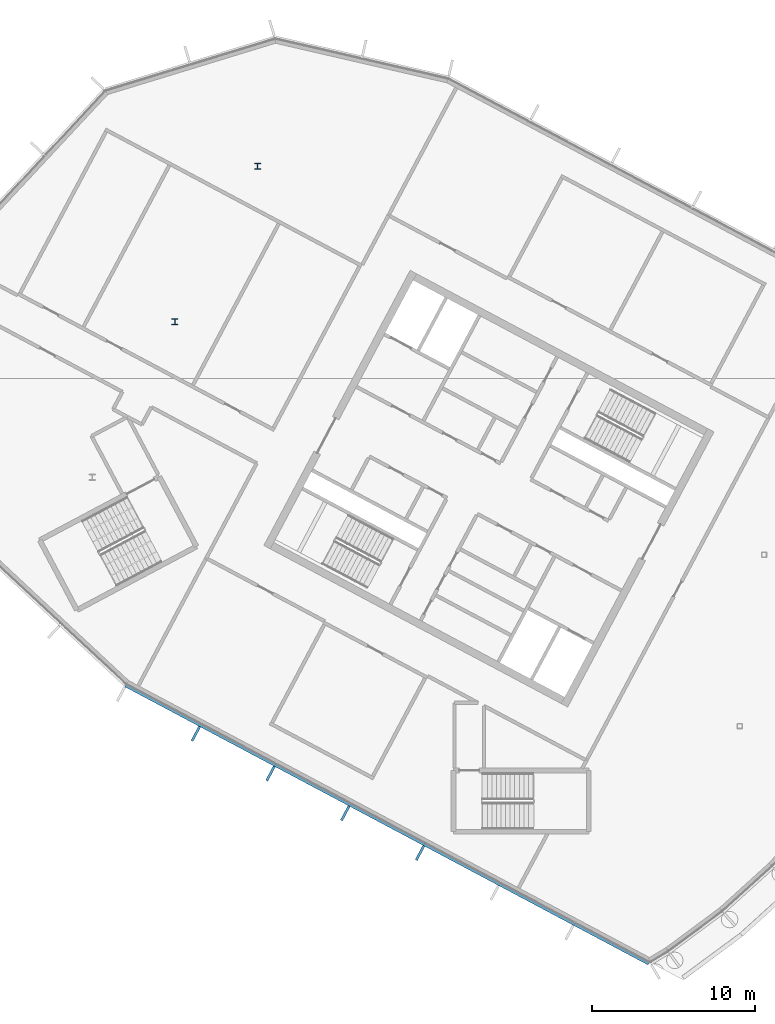
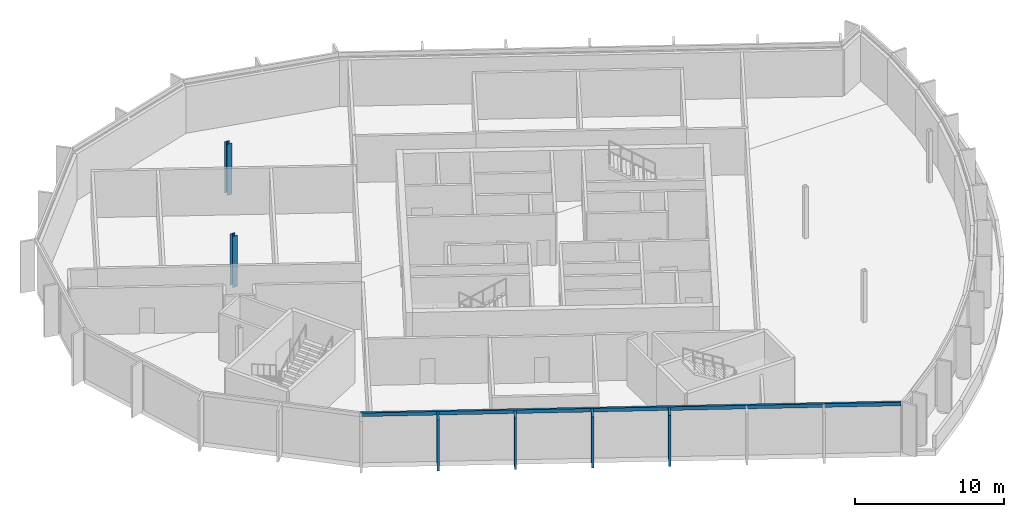
# One storey, part 3 of 15: 5 members, 2 columns, 1 element without a shape of its own.
"""IFC4 building model written with IfcOpenShell, lengths in metres."""

from ifc_helpers import new_model, si_unit, direction, frame, origin, origin_2d, place, context, subcontext, project, spatial, rectangle, i_section, extrude, material, layer, layer_set, material_profile, profile_set, type_object, element, aggregate, save


model = new_model("IFC4")

# Units and contexts
model_context = context("Model", 3, precision=1e-05, world=origin(), true_north=direction((0.0, 1.0)))
body_context = subcontext(model_context, "Body", "Model", "MODEL_VIEW")
ifc_project = project(units=[si_unit("LENGTHUNIT", "METRE"), si_unit("AREAUNIT", "SQUARE_METRE"), si_unit("VOLUMEUNIT", "CUBIC_METRE"), si_unit("PLANEANGLEUNIT", "RADIAN"), si_unit("MASSUNIT", "GRAM", prefix="KILO")], contexts=[model_context])

# Site, building, storey
site_placement = place(None, origin())
site = spatial("IfcSite", under=ifc_project, at=site_placement, CompositionType="ELEMENT")
building_placement = place(site_placement, origin())
building = spatial("IfcBuilding", under=site, at=building_placement, Name="Cormorant Relay Tower", CompositionType="ELEMENT")
storey_placement = place(building_placement, frame((0.0, 0.0, 336.60009765625)))
storey = spatial("IfcBuildingStorey", under=building, at=storey_placement, Name="C3", CompositionType="ELEMENT", Elevation=336.60009765625)

# Columns
ifc_material_1 = material(Name="Steel ASTM A992 (Fy 345 MPa)", Category="steel")
ifc_material_profile_1 = material_profile(ifc_material_1, i_section(OverallWidth=0.373291015625, OverallDepth=0.373291015625, WebThickness=0.016357421875, FlangeThickness=0.026123046875, FilletRadius=0.01513671875, at=origin_2d()), Name="W360x196")
ifc_profile_set_1 = profile_set([ifc_material_profile_1], Name="Steel ASTM A992 (Fy 345 MPa)")
column_type = type_object("IfcColumnType", Name="Column W360x196", PredefinedType="COLUMN", material=ifc_profile_set_1)
for number, where, z_axis, x_axis, name in (
    (1, (-46.6201171875, 24.7880859375, 0.0), (0.0, 0.0, 1.0), (1.0, 0.0, 0.0), "Column C3-005"),
    (2, (-41.549072265625, 34.323974609375, 0.0), (0.0, 0.0, 1.0), (1.0, 0.0, 0.0), "Column C3-006"),
):
    element("IfcColumn", number, at=place(storey_placement, frame(where, z_axis=z_axis, x_axis=x_axis)), inside=storey, type_object=column_type, Name=name, PredefinedType="COLUMN", context=body_context, shape_type="SweptSolid", body=[
        extrude(i_section(OverallWidth=0.373291015625, OverallDepth=0.373291015625, WebThickness=0.016357421875, FlangeThickness=0.026123046875, FilletRadius=0.01513671875, at=origin_2d()), origin(), (0.0, 0.0, 1.0), 4.199951171875),
    ])

# Curtain wall, members
ifc_material_2 = material(Name="Aluminium 6063-T6 anodised bronze", Category="aluminium")
ifc_layer = layer(ifc_material_2, 0.199951171875)
ifc_layer_set = layer_set([ifc_layer], Name="CW3 crown screen wall")
curtain_wall_type = type_object("IfcCurtainWallType", Name="CW3 crown screen wall", PredefinedType="NOTDEFINED", material=ifc_layer_set)
curtain_wall_placement = place(storey_placement, origin())
curtain_wall = element("IfcCurtainWall", 3, at=curtain_wall_placement, inside=storey, type_object=curtain_wall_type, Name="CW3 curtain wall 1", PredefinedType="NOTDEFINED")
ifc_material_3 = material(Name="Aluminium 6063-T6 anodised bronze", Category="aluminium")
ifc_material_profile_2 = material_profile(ifc_material_3, rectangle(XDim=0.14990234375, YDim=1.0, at=origin_2d()), Name="AL 150x1000")
ifc_profile_set_2 = profile_set([ifc_material_profile_2], Name="Aluminium 6063-T6 anodised bronze")
member_type_1 = type_object("IfcMemberType", Name="CW3 bronze fin mullion 150 x 1000", PredefinedType="MULLION", material=ifc_profile_set_2)
member_1_placement = place(storey_placement, frame((-45.338623046875, -0.4697265625, 0.0), z_axis=(0.0, 0.0, 1.0), x_axis=(0.882947592859, -0.469471562786, 0.0)))
member_1 = element("IfcMember", 4, at=member_1_placement, type_object=member_type_1, Name="CW3 fin 1.2", PredefinedType="MULLION", context=body_context, shape_type="SweptSolid", body=[
    extrude(rectangle(XDim=0.14990234375, YDim=1.0, at=origin_2d()), origin(), (0.0, 0.0, 1.0), 4.199951171875),
])
member_2_placement = place(storey_placement, frame((-40.757080078125, -2.90576171875, 0.0), z_axis=(0.0, 0.0, 1.0), x_axis=(0.882947592859, -0.469471562786, 0.0)))
member_2 = element("IfcMember", 5, at=member_2_placement, type_object=member_type_1, Name="CW3 fin 1.3", PredefinedType="MULLION", context=body_context, shape_type="SweptSolid", body=[
    extrude(rectangle(XDim=0.14990234375, YDim=1.0, at=origin_2d()), origin(), (0.0, 0.0, 1.0), 4.199951171875),
])
member_3_placement = place(storey_placement, frame((-36.175537109375, -5.341796875, 0.0), z_axis=(0.0, 0.0, 1.0), x_axis=(0.882947592859, -0.469471562786, 0.0)))
member_3 = element("IfcMember", 6, at=member_3_placement, type_object=member_type_1, Name="CW3 fin 1.4", PredefinedType="MULLION", context=body_context, shape_type="SweptSolid", body=[
    extrude(rectangle(XDim=0.14990234375, YDim=1.0, at=origin_2d()), origin(), (0.0, 0.0, 1.0), 4.199951171875),
])
member_4_placement = place(storey_placement, frame((-31.593994140625, -7.77783203125, 0.0), z_axis=(0.0, 0.0, 1.0), x_axis=(0.882947592859, -0.469471562786, 0.0)))
member_4 = element("IfcMember", 7, at=member_4_placement, type_object=member_type_1, Name="CW3 fin 1.5", PredefinedType="MULLION", context=body_context, shape_type="SweptSolid", body=[
    extrude(rectangle(XDim=0.14990234375, YDim=1.0, at=origin_2d()), origin(), (0.0, 0.0, 1.0), 4.199951171875),
])
ifc_material_4 = material(Name="Aluminium 6063-T6 anodised bronze", Category="aluminium")
ifc_material_profile_3 = material_profile(ifc_material_4, rectangle(XDim=0.159912109375, YDim=0.300048828125, at=origin_2d()), Name="AL 160x300")
ifc_profile_set_3 = profile_set([ifc_material_profile_3], Name="Aluminium 6063-T6 anodised bronze")
member_type_2 = type_object("IfcMemberType", Name="CW3 bronze transom 160 x 300", PredefinedType="USERDEFINED", material=ifc_profile_set_3)
member_5_placement = place(storey_placement, frame((-49.64794921875, 2.478515625, 4.0498046875), z_axis=(0.882945961163, -0.469474631547, 0.0), x_axis=(0.469474631547, 0.882945961163, 0.0)))
member_5 = element("IfcMember", 8, at=member_5_placement, type_object=member_type_2, Name="CW3 transom 1", ObjectType="TRANSOM", PredefinedType="USERDEFINED", context=body_context, shape_type="SweptSolid", body=[
    extrude(rectangle(XDim=0.159912109375, YDim=0.300048828125, at=origin_2d()), origin(), (0.0, 0.0, 1.0), 36.322509765625),
])
aggregate(curtain_wall, [member_1, member_2, member_3, member_4, member_5])

save(model, "model.ifc")
